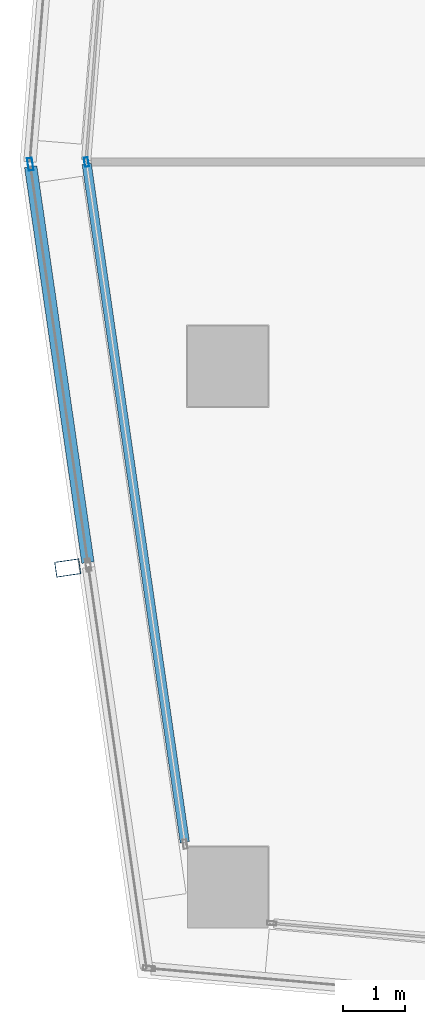
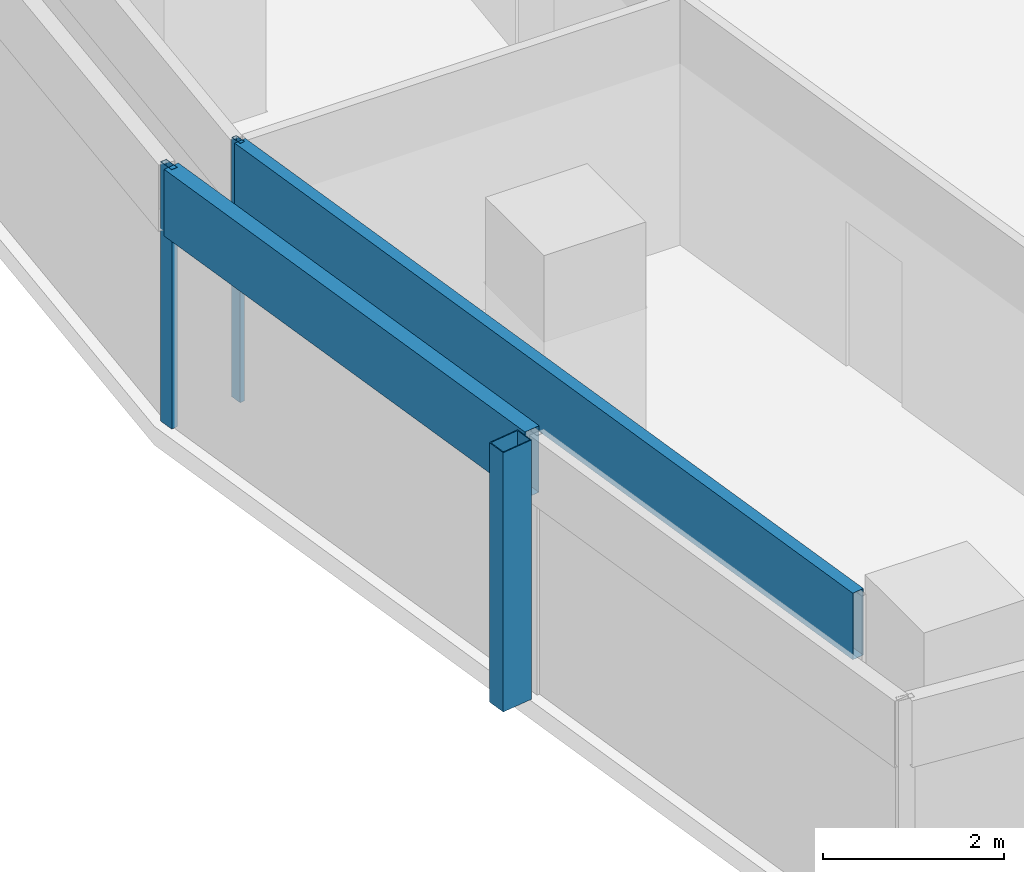
# One storey, part 4 of 30: 5 members, 2 elements without a shape of their own.
"""IFC4 building model written with IfcOpenShell, lengths in metres."""

from ifc_helpers import new_model, si_unit, direction, frame, origin, origin_2d, place, context, subcontext, project, spatial, hollow_rectangle, extrude, material, material_profile, profile_set, type_object, element, aggregate, save


model = new_model("IFC4")

# Units and contexts
model_context = context("Model", 3, precision=1e-05, world=origin(), true_north=direction((0.0, 1.0)))
body_context = subcontext(model_context, "Body", "Model", "MODEL_VIEW")
ifc_project = project(units=[si_unit("LENGTHUNIT", "METRE"), si_unit("AREAUNIT", "SQUARE_METRE"), si_unit("VOLUMEUNIT", "CUBIC_METRE"), si_unit("PLANEANGLEUNIT", "RADIAN"), si_unit("MASSUNIT", "GRAM", prefix="KILO")], contexts=[model_context])

# Site, building, storey
site_placement = place(None, origin())
site = spatial("IfcSite", under=ifc_project, at=site_placement, CompositionType="ELEMENT")
building_placement = place(site_placement, origin())
building = spatial("IfcBuilding", under=site, at=building_placement, Name="Rekha Terrace Tower", CompositionType="ELEMENT")
storey_placement = place(building_placement, frame((0.0, 0.0, 272.60009765625)))
storey = spatial("IfcBuildingStorey", under=building, at=storey_placement, Name="L69", CompositionType="ELEMENT", Elevation=272.60009765625)

# Curtain wall, member
ifc_material_1 = material(Name="Aluminium framing", Category="aluminium")
curtain_wall_type_1 = type_object("IfcCurtainWallType", Name="CW2 double skin outer glazing", PredefinedType="USERDEFINED", material=ifc_material_1)
curtain_wall_1_placement = place(storey_placement, origin())
curtain_wall_1 = element("IfcCurtainWall", 1, at=curtain_wall_1_placement, inside=storey, type_object=curtain_wall_type_1, Name="CW2 double skin outer glazing", ObjectType="DOUBLE SKIN OUTER GLAZING", PredefinedType="USERDEFINED")
ifc_material_2 = material(Name="Steel S355 with fluorocarbon finish", Category="steel")
ifc_material_profile_1 = material_profile(ifc_material_2, hollow_rectangle(XDim=0.25, YDim=0.39990234375, WallThickness=0.012451171875, at=origin_2d()), Name="RHS400x250x12.5")
ifc_profile_set_1 = profile_set([ifc_material_profile_1], Name="Steel S355 with fluorocarbon finish")
member_type_1 = type_object("IfcMemberType", Name="BL1 facade blade RHS 400 x 250", PredefinedType="USERDEFINED", material=ifc_profile_set_1)
member_1_placement = place(storey_placement, frame((5.819091796875, 21.94873046875, 0.0), z_axis=(0.0, 0.0, 1.0), x_axis=(0.143109157841, -0.989706910627, 0.0)))
member_1 = element("IfcMember", 2, at=member_1_placement, type_object=member_type_1, Name="Facade blade", ObjectType="FACADE BLADE", PredefinedType="USERDEFINED", context=body_context, shape_type="SweptSolid", body=[
    extrude(hollow_rectangle(XDim=0.25, YDim=0.39990234375, WallThickness=0.012451171875, at=origin_2d()), origin(), (0.0, 0.0, 1.0), 3.5),
])

# Curtain wall, members
curtain_wall_type_2 = type_object("IfcCurtainWallType", Name="CW1 double skin inner glazing", PredefinedType="USERDEFINED", material=ifc_material_1)
curtain_wall_2_placement = place(storey_placement, origin())
curtain_wall_2 = element("IfcCurtainWall", 3, at=curtain_wall_2_placement, inside=storey, type_object=curtain_wall_type_2, Name="CW1 double skin inner glazing", ObjectType="DOUBLE SKIN INNER GLAZING", PredefinedType="USERDEFINED")
ifc_material_3 = material(Name="Aluminium mullion section", Category="aluminium")
ifc_material_profile_2 = material_profile(ifc_material_3, hollow_rectangle(XDim=0.06494140625, YDim=0.14990234375, WallThickness=0.00390625, at=origin_2d()), Name="AL RHS 65x150")
ifc_profile_set_2 = profile_set([ifc_material_profile_2], Name="Aluminium mullion section")
member_type_2 = type_object("IfcMemberType", Name="CW1 mullion RHS 65 x 150", PredefinedType="MULLION", material=ifc_profile_set_2)
member_2_placement = place(storey_placement, frame((6.120849609375, 28.4912109375, 0.0), z_axis=(0.0, 0.0, 1.0), x_axis=(0.989707031394, 0.143108322643, 0.0)))
member_2 = element("IfcMember", 4, at=member_2_placement, type_object=member_type_2, Name="CW1 mullion 1", PredefinedType="MULLION", context=body_context, shape_type="SweptSolid", body=[
    extrude(hollow_rectangle(XDim=0.06494140625, YDim=0.14990234375, WallThickness=0.00390625, at=origin_2d()), origin(), (0.0, 0.0, 1.0), 3.5),
])
ifc_material_4 = material(Name="Insulated aluminium spandrel box", Category="aluminium")
ifc_material_profile_3 = material_profile(ifc_material_4, hollow_rectangle(XDim=0.14990234375, YDim=0.89990234375, WallThickness=0.0029296875, at=origin_2d()), Name="AL SPANDREL BOX 150x900")
ifc_profile_set_3 = profile_set([ifc_material_profile_3], Name="Insulated aluminium spandrel box")
member_type_3 = type_object("IfcMemberType", Name="CW1 spandrel transom 150 x 900", PredefinedType="USERDEFINED", material=ifc_profile_set_3)
member_3_placement = place(storey_placement, frame((6.12548828125, 28.458984375, 3.0498046875), z_axis=(0.143104894735, -0.989707527052, 0.0), x_axis=(0.989707527052, 0.143104894735, 0.0)))
member_3 = element("IfcMember", 5, at=member_3_placement, type_object=member_type_3, Name="CW1 spandrel transom 1", ObjectType="TRANSOM", PredefinedType="USERDEFINED", context=body_context, shape_type="SweptSolid", body=[
    extrude(hollow_rectangle(XDim=0.14990234375, YDim=0.89990234375, WallThickness=0.0029296875, at=origin_2d()), origin(), (0.0, 0.0, 1.0), 11.043212890625),
])
aggregate(curtain_wall_2, [member_2, member_3])

# Member
ifc_material_profile_4 = material_profile(ifc_material_3, hollow_rectangle(XDim=0.080078125, YDim=0.199951171875, WallThickness=0.00390625, at=origin_2d()), Name="AL RHS 80x200")
ifc_profile_set_4 = profile_set([ifc_material_profile_4], Name="Aluminium mullion section")
member_type_4 = type_object("IfcMemberType", Name="CW2 mullion RHS 80 x 200", PredefinedType="MULLION", material=ifc_profile_set_4)
member_4_placement = place(storey_placement, frame((5.216552734375, 28.455322265625, 0.0), z_axis=(0.0, 0.0, 1.0), x_axis=(0.989707031389, 0.143108322678, 0.0)))
member_4 = element("IfcMember", 6, at=member_4_placement, type_object=member_type_4, Name="CW2 mullion 1", PredefinedType="MULLION", context=body_context, shape_type="SweptSolid", body=[
    extrude(hollow_rectangle(XDim=0.080078125, YDim=0.199951171875, WallThickness=0.00390625, at=origin_2d()), origin(), (0.0, 0.0, 1.0), 3.5),
])

ifc_material_profile_5 = material_profile(ifc_material_4, hollow_rectangle(XDim=0.199951171875, YDim=0.89990234375, WallThickness=0.0029296875, at=origin_2d()), Name="AL SPANDREL BOX 200x900")
ifc_profile_set_5 = profile_set([ifc_material_profile_5], Name="Insulated aluminium spandrel box")
member_type_5 = type_object("IfcMemberType", Name="CW2 spandrel transom 200 x 900", PredefinedType="USERDEFINED", material=ifc_profile_set_5)
member_5_placement = place(storey_placement, frame((5.222412109375, 28.415771484375, 3.0498046875), z_axis=(0.143091438807, -0.989709472593, 0.0), x_axis=(0.989709472593, 0.143091438807, 0.0)))
member_5 = element("IfcMember", 7, at=member_5_placement, type_object=member_type_5, Name="CW2 spandrel transom 1", ObjectType="TRANSOM", PredefinedType="USERDEFINED", context=body_context, shape_type="SweptSolid", body=[
    extrude(hollow_rectangle(XDim=0.199951171875, YDim=0.89990234375, WallThickness=0.0029296875, at=origin_2d()), origin(), (0.0, 0.0, 1.0), 6.446044921875),
])

aggregate(curtain_wall_1, [member_4, member_5, member_1])

save(model, "model.ifc")
